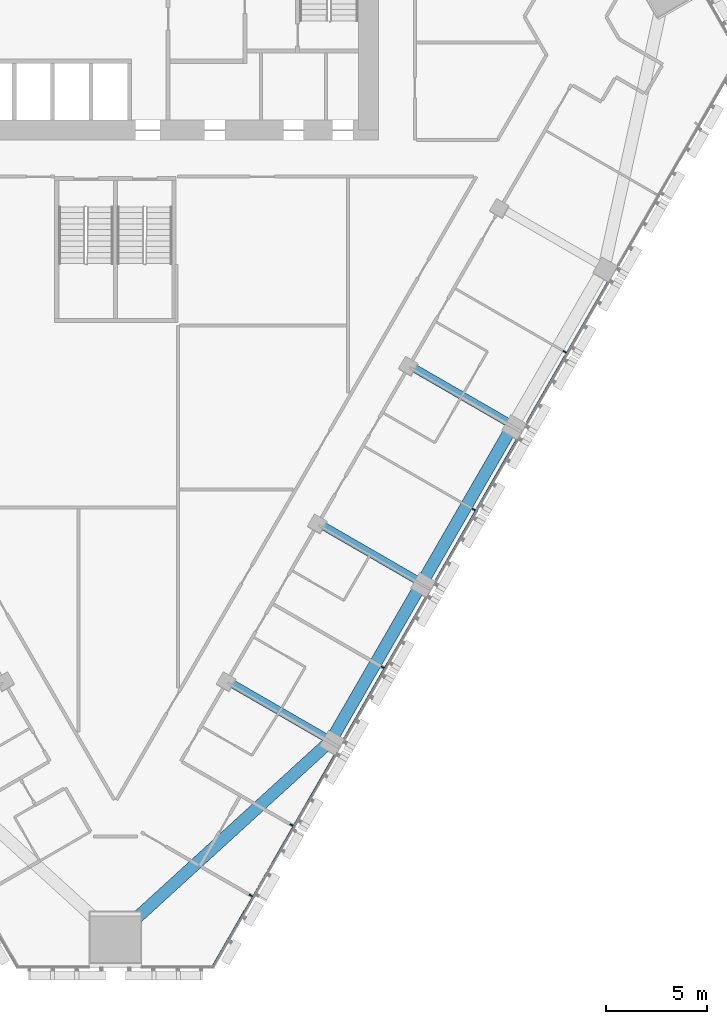
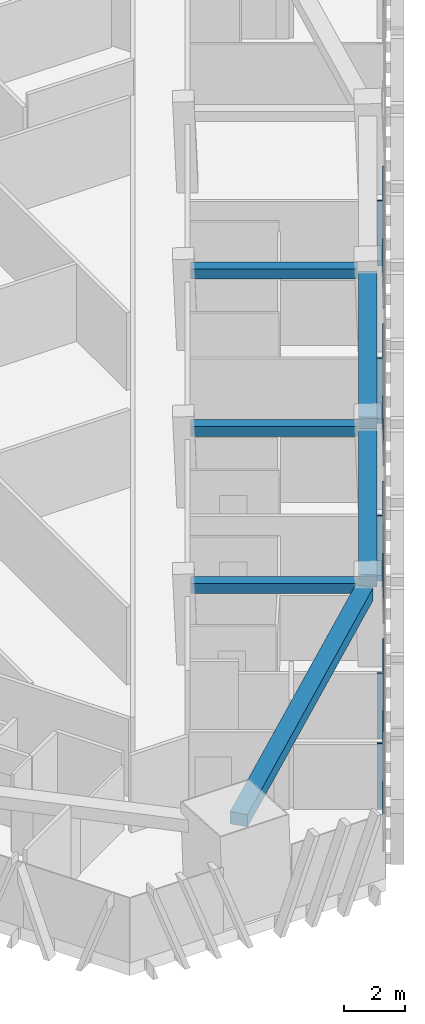
# One storey, part 4 of 18: 9 members, 6 beams, 1 element without a shape of its own.
"""IFC4 building model written with IfcOpenShell, lengths in metres."""

from ifc_helpers import new_model, si_unit, direction, frame, origin, origin_2d, place, context, subcontext, project, spatial, rectangle, extrude, material, layer, layer_set, material_profile, profile_set, type_object, element, aggregate, save


model = new_model("IFC4")

# Units and contexts
model_context = context("Model", 3, precision=1e-05, world=origin(), true_north=direction((0.0, 1.0)))
body_context = subcontext(model_context, "Body", "Model", "MODEL_VIEW")
ifc_project = project(units=[si_unit("LENGTHUNIT", "METRE"), si_unit("AREAUNIT", "SQUARE_METRE"), si_unit("VOLUMEUNIT", "CUBIC_METRE"), si_unit("PLANEANGLEUNIT", "RADIAN"), si_unit("MASSUNIT", "GRAM", prefix="KILO")], contexts=[model_context])

# Site, building, storey
site_placement = place(None, origin())
site = spatial("IfcSite", under=ifc_project, at=site_placement, CompositionType="ELEMENT")
building_placement = place(site_placement, origin())
building = spatial("IfcBuilding", under=site, at=building_placement, Name="Altiplano Prism Tower", CompositionType="ELEMENT")
storey_placement = place(building_placement, frame((0.0, 0.0, 41.39990234375)))
storey = spatial("IfcBuildingStorey", under=building, at=storey_placement, Name="L09", CompositionType="ELEMENT", Elevation=41.39990234375)

# Curtain wall, members
ifc_material_1 = material(Name="Aluminium and glass", Category="aluminium")
ifc_layer = layer(ifc_material_1, 0.280029296875)
ifc_layer_set = layer_set([ifc_layer], Name="Aluminium and glass")
curtain_wall_type = type_object("IfcCurtainWallType", Name="CW1 typical co-living unitised curtain wall", PredefinedType="NOTDEFINED", material=ifc_layer_set)
curtain_wall_placement = place(storey_placement, origin())
curtain_wall = element("IfcCurtainWall", 1, at=curtain_wall_placement, inside=storey, type_object=curtain_wall_type, Name="CW1 curtain wall south-east face L09", PredefinedType="NOTDEFINED")
ifc_material_2 = material(Name="Aluminium", Category="aluminium")
ifc_material_profile_1 = material_profile(ifc_material_2, rectangle(XDim=0.179931640625, YDim=0.06494140625, at=origin_2d()), Name="CW1 mullion 65 x 180")
ifc_profile_set_1 = profile_set([ifc_material_profile_1], Name="Aluminium")
member_type_1 = type_object("IfcMemberType", Name="CW1 mullion 65 x 180", PredefinedType="MULLION", material=ifc_profile_set_1)
member_1_placement = place(storey_placement, frame((91.69189453125, 55.078857421875, 0.0), z_axis=(0.0, 0.0, 1.0), x_axis=(-0.866025403584, 0.500000000348, 0.0)))
member_1 = element("IfcMember", 2, at=member_1_placement, type_object=member_type_1, Name="CW1 mullion", PredefinedType="MULLION", context=body_context, shape_type="SweptSolid", body=[
    extrude(rectangle(XDim=0.179931640625, YDim=0.06494140625, at=origin_2d()), origin(), (0.0, 0.0, 1.0), 2.60009765625),
])
member_2_placement = place(storey_placement, frame((93.7021484375, 58.560791015625, 0.0), z_axis=(0.0, 0.0, 1.0), x_axis=(-0.866025403584, 0.500000000348, 0.0)))
member_2 = element("IfcMember", 3, at=member_2_placement, type_object=member_type_1, Name="CW1 mullion", PredefinedType="MULLION", context=body_context, shape_type="SweptSolid", body=[
    extrude(rectangle(XDim=0.179931640625, YDim=0.06494140625, at=origin_2d()), origin(), (0.0, 0.0, 1.0), 2.60009765625),
])
member_3_placement = place(storey_placement, frame((98.2021484375, 66.35498046875, 0.0), z_axis=(0.0, 0.0, 1.0), x_axis=(-0.866025403584, 0.500000000348, 0.0)))
member_3 = element("IfcMember", 4, at=member_3_placement, type_object=member_type_1, Name="CW1 mullion", PredefinedType="MULLION", context=body_context, shape_type="SweptSolid", body=[
    extrude(rectangle(XDim=0.179931640625, YDim=0.06494140625, at=origin_2d()), origin(), (0.0, 0.0, 1.0), 2.60009765625),
])
member_4_placement = place(storey_placement, frame((102.7021484375, 74.149169921875, 0.0), z_axis=(0.0, 0.0, 1.0), x_axis=(-0.866025403584, 0.500000000348, 0.0)))
member_4 = element("IfcMember", 5, at=member_4_placement, type_object=member_type_1, Name="CW1 mullion", PredefinedType="MULLION", context=body_context, shape_type="SweptSolid", body=[
    extrude(rectangle(XDim=0.179931640625, YDim=0.06494140625, at=origin_2d()), origin(), (0.0, 0.0, 1.0), 2.60009765625),
])
member_5_placement = place(storey_placement, frame((107.2021484375, 81.943359375, 0.0), z_axis=(0.0, 0.0, 1.0), x_axis=(-0.866025403584, 0.500000000348, 0.0)))
member_5 = element("IfcMember", 6, at=member_5_placement, type_object=member_type_1, Name="CW1 mullion", PredefinedType="MULLION", context=body_context, shape_type="SweptSolid", body=[
    extrude(rectangle(XDim=0.179931640625, YDim=0.06494140625, at=origin_2d()), origin(), (0.0, 0.0, 1.0), 2.60009765625),
])
ifc_material_profile_2 = material_profile(ifc_material_2, rectangle(XDim=0.06005859375, YDim=0.080078125, at=origin_2d()), Name="CW1 transom 80 x 60")
ifc_profile_set_2 = profile_set([ifc_material_profile_2], Name="Aluminium")
member_type_2 = type_object("IfcMemberType", Name="CW1 transom 80 x 60", PredefinedType="USERDEFINED", material=ifc_profile_set_2)
member_6_placement = place(storey_placement, frame((89.785400390625, 51.537109375, 1.10009765625), z_axis=(0.500002711008, 0.866023838577, 0.0), x_axis=(-0.866023838577, 0.500002711008, 0.0)))
member_6 = element("IfcMember", 7, at=member_6_placement, type_object=member_type_2, Name="CW1 transom", ObjectType="TRANSOM", PredefinedType="USERDEFINED", context=body_context, shape_type="SweptSolid", body=[
    extrude(rectangle(XDim=0.06005859375, YDim=0.080078125, at=origin_2d()), origin(), (0.0, 0.0, 1.0), 12.09033203125),
])
member_7_placement = place(storey_placement, frame((96.32080078125, 62.8564453125, 1.10009765625), z_axis=(0.499989486807, 0.866031473494, 0.0), x_axis=(-0.866031473494, 0.499989486807, 0.0)))
member_7 = element("IfcMember", 8, at=member_7_placement, type_object=member_type_2, Name="CW1 transom", ObjectType="TRANSOM", PredefinedType="USERDEFINED", context=body_context, shape_type="SweptSolid", body=[
    extrude(rectangle(XDim=0.06005859375, YDim=0.080078125, at=origin_2d()), origin(), (0.0, 0.0, 1.0), 8.019775390625),
])
member_8_placement = place(storey_placement, frame((100.82080078125, 70.650634765625, 1.10009765625), z_axis=(0.499989486807, 0.866031473494, 0.0), x_axis=(-0.866031473494, 0.499989486807, 0.0)))
member_8 = element("IfcMember", 9, at=member_8_placement, type_object=member_type_2, Name="CW1 transom", ObjectType="TRANSOM", PredefinedType="USERDEFINED", context=body_context, shape_type="SweptSolid", body=[
    extrude(rectangle(XDim=0.06005859375, YDim=0.080078125, at=origin_2d()), origin(), (0.0, 0.0, 1.0), 8.019775390625),
])
member_9_placement = place(storey_placement, frame((105.32080078125, 78.44482421875, 1.10009765625), z_axis=(0.499989486807, 0.866031473494, 0.0), x_axis=(-0.866031473494, 0.499989486807, 0.0)))
member_9 = element("IfcMember", 10, at=member_9_placement, type_object=member_type_2, Name="CW1 transom", ObjectType="TRANSOM", PredefinedType="USERDEFINED", context=body_context, shape_type="SweptSolid", body=[
    extrude(rectangle(XDim=0.06005859375, YDim=0.080078125, at=origin_2d()), origin(), (0.0, 0.0, 1.0), 8.019775390625),
])
aggregate(curtain_wall, [member_1, member_2, member_6, member_3, member_7, member_4, member_8, member_5, member_9])

# Beams
ifc_material_3 = material(Name="Concrete C60/75", Category="concrete")
ifc_material_profile_3 = material_profile(ifc_material_3, rectangle(XDim=0.60009765625, YDim=0.5, at=origin_2d()), Name="Edge beam 600x500")
ifc_profile_set_3 = profile_set([ifc_material_profile_3], Name="Concrete C60/75")
beam_type_1 = type_object("IfcBeamType", Name="Edge beam 600x500", PredefinedType="SPANDREL", material=ifc_profile_set_3)
beam_placement = place(storey_placement, frame((85.33251953125, 53.315673828125, 2.85009765625), z_axis=(0.738726224028, 0.674005612686, 0.0), x_axis=(-0.674005612686, 0.738726224028, 0.0)))
element("IfcBeam", 11, at=beam_placement, inside=storey, type_object=beam_type_1, Name="Edge beam M1-P21 L10", PredefinedType="SPANDREL", context=body_context, shape_type="SweptSolid", body=[
    extrude(rectangle(XDim=0.60009765625, YDim=0.5, at=origin_2d()), origin(), (0.0, 0.0, 1.0), 13.610107421875),
])
for number, where, z_axis, x_axis, name in (
    (12, (95.811767578125, 63.01220703125, 2.85009765625), (0.500014701701, 0.866016915587, 0.0), (-0.866016915587, 0.500014701701, 0.0), "Edge beam P21-P22 L10"),
    (13, (100.311767578125, 70.806396484375, 2.85009765625), (0.500014701701, 0.866016915587, 0.0), (-0.866016915587, 0.500014701701, 0.0), "Edge beam P22-P23 L10"),
):
    element("IfcBeam", number, at=place(storey_placement, frame(where, z_axis=z_axis, x_axis=x_axis)), inside=storey, type_object=beam_type_1, Name=name, PredefinedType="SPANDREL", context=body_context, shape_type="SweptSolid", body=[
        extrude(rectangle(XDim=0.60009765625, YDim=0.5, at=origin_2d()), origin(), (0.0, 0.0, 1.0), 8.340087890625),
    ])
ifc_material_profile_4 = material_profile(ifc_material_3, rectangle(XDim=0.39990234375, YDim=0.39990234375, at=origin_2d()), Name="Tie beam 400x400")
ifc_profile_set_4 = profile_set([ifc_material_profile_4], Name="Concrete C60/75")
beam_type_2 = type_object("IfcBeamType", Name="Tie beam 400x400", PredefinedType="BEAM", material=ifc_profile_set_4)
for number, where, z_axis, x_axis, name in (
    (14, (90.606689453125, 65.636474609375, 2.900146484375), (0.866012292785, -0.50002270823, 0.0), (0.50002270823, 0.866012292785, 0.0), "Tie beam I21 L10"),
    (15, (95.106689453125, 73.4306640625, 2.900146484375), (0.866012292785, -0.50002270823, 0.0), (0.50002270823, 0.866012292785, 0.0), "Tie beam I22 L10"),
    (16, (99.606689453125, 81.224853515625, 2.900146484375), (0.866012292785, -0.50002270823, 0.0), (0.50002270823, 0.866012292785, 0.0), "Tie beam I23 L10"),
):
    element("IfcBeam", number, at=place(storey_placement, frame(where, z_axis=z_axis, x_axis=x_axis)), inside=storey, type_object=beam_type_2, Name=name, PredefinedType="BEAM", context=body_context, shape_type="SweptSolid", body=[
        extrude(rectangle(XDim=0.39990234375, YDim=0.39990234375, at=origin_2d()), origin(), (0.0, 0.0, 1.0), 5.489990234375),
    ])

save(model, "model.ifc")
